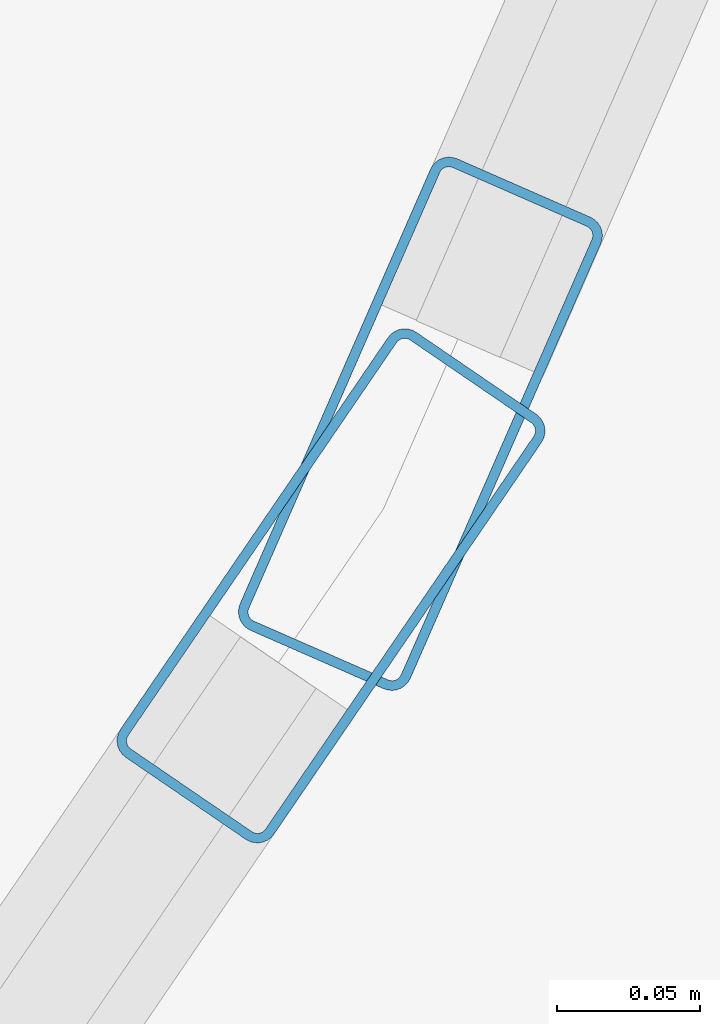
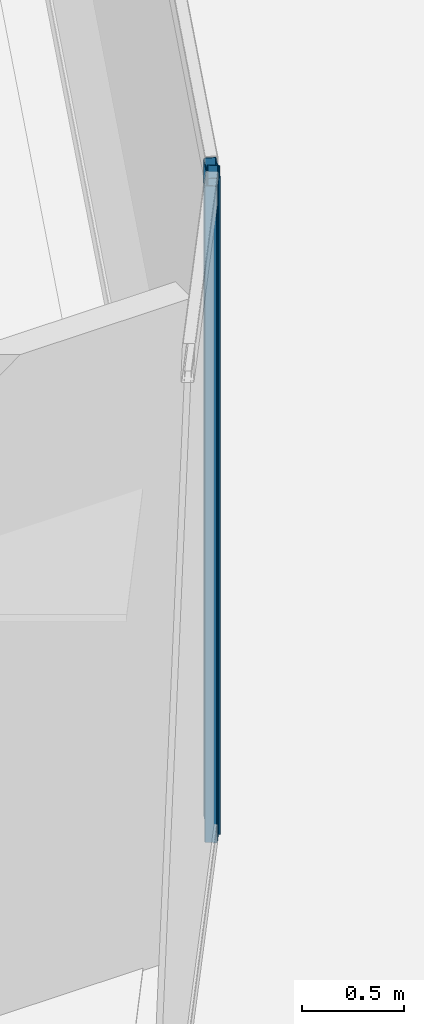
# One storey, part 11 of 44: 2 members, 2 elements without a shape of their own.
"""IFC4 building model written with IfcOpenShell, lengths in metres."""

from ifc_helpers import new_model, si_unit, direction, frame, origin, origin_2d, place, context, subcontext, project, spatial, hollow_rectangle, extrude, material, layer, layer_set, material_profile, profile_set, type_object, element, aggregate, save


model = new_model("IFC4")

# Units and contexts
model_context = context("Model", 3, precision=1e-05, world=origin(), true_north=direction((0.0, 1.0)))
body_context = subcontext(model_context, "Body", "Model", "MODEL_VIEW")
ifc_project = project(units=[si_unit("LENGTHUNIT", "METRE"), si_unit("AREAUNIT", "SQUARE_METRE"), si_unit("VOLUMEUNIT", "CUBIC_METRE"), si_unit("PLANEANGLEUNIT", "RADIAN"), si_unit("MASSUNIT", "GRAM", prefix="KILO")], contexts=[model_context])

# Site, building, storey
site_placement = place(None, origin())
site = spatial("IfcSite", under=ifc_project, at=site_placement, CompositionType="ELEMENT")
building_placement = place(site_placement, origin())
building = spatial("IfcBuilding", under=site, at=building_placement, Name="Qorvath Tower", CompositionType="ELEMENT")
storey_placement = place(building_placement, frame((0.0, 0.0, 70.199951171875)))
storey = spatial("IfcBuildingStorey", under=building, at=storey_placement, Name="L15", CompositionType="ELEMENT", Elevation=70.199951171875)

# Curtain wall, member
ifc_material_1 = material(Name="Anodised aluminium and triple low-E glass", Category="aluminium")
ifc_layer = layer(ifc_material_1, 0.179931640625)
ifc_layer_set = layer_set([ifc_layer], Name="CW-SYS-2")
curtain_wall_type = type_object("IfcCurtainWallType", Name="CW-SYS-2", PredefinedType="NOTDEFINED", material=ifc_layer_set)
curtain_wall_1_placement = place(storey_placement, origin())
curtain_wall_1 = element("IfcCurtainWall", 1, at=curtain_wall_1_placement, inside=storey, type_object=curtain_wall_type, Name="Curtain Wall CW-2 CW-T-L15-5.1", PredefinedType="NOTDEFINED")
ifc_material_2 = material(Name="Anodised aluminium 6063-T6", Category="aluminium")
ifc_material_profile = material_profile(ifc_material_2, hollow_rectangle(XDim=0.06494140625, YDim=0.179931640625, WallThickness=0.00341796875, InnerFilletRadius=0.00341796875, OuterFilletRadius=0.007080078125, at=origin_2d()), Name="CWM 180x65")
ifc_profile_set = profile_set([ifc_material_profile], Name="Anodised aluminium 6063-T6")
member_type = type_object("IfcMemberType", Name="CWM-180", PredefinedType="MULLION", material=ifc_profile_set)
member_1_placement = place(storey_placement, frame((1.8544921875, -19.050537109375, 0.0), z_axis=(0.0, 0.0, 1.0), x_axis=(-0.825792265854, 0.563974408689, 0.0)))
member_1 = element("IfcMember", 2, at=member_1_placement, type_object=member_type, Name="CW-2 mullion 2", PredefinedType="MULLION", context=body_context, shape_type="SweptSolid", body=[
    extrude(hollow_rectangle(XDim=0.06494140625, YDim=0.179931640625, WallThickness=0.00341796875, InnerFilletRadius=0.00341796875, OuterFilletRadius=0.007080078125, at=origin_2d()), origin(), (0.0, 0.0, 1.0), 3.920166015625),
])
aggregate(curtain_wall_1, [member_1])

curtain_wall_2_placement = place(storey_placement, origin())
curtain_wall_2 = element("IfcCurtainWall", 3, at=curtain_wall_2_placement, inside=storey, type_object=curtain_wall_type, Name="Curtain Wall CW-2 CW-T-L15-6.1", PredefinedType="NOTDEFINED")
member_2_placement = place(storey_placement, frame((1.8857421875, -18.993896484375, 0.0), z_axis=(0.0, 0.0, 1.0), x_axis=(-0.915925737134, 0.401347784416, 0.0)))
member_2 = element("IfcMember", 4, at=member_2_placement, type_object=member_type, Name="CW-2 mullion 1", PredefinedType="MULLION", context=body_context, shape_type="SweptSolid", body=[
    extrude(hollow_rectangle(XDim=0.06494140625, YDim=0.179931640625, WallThickness=0.00341796875, InnerFilletRadius=0.00341796875, OuterFilletRadius=0.007080078125, at=origin_2d()), origin(), (0.0, 0.0, 1.0), 3.920166015625),
])
aggregate(curtain_wall_2, [member_2])

save(model, "model.ifc")
